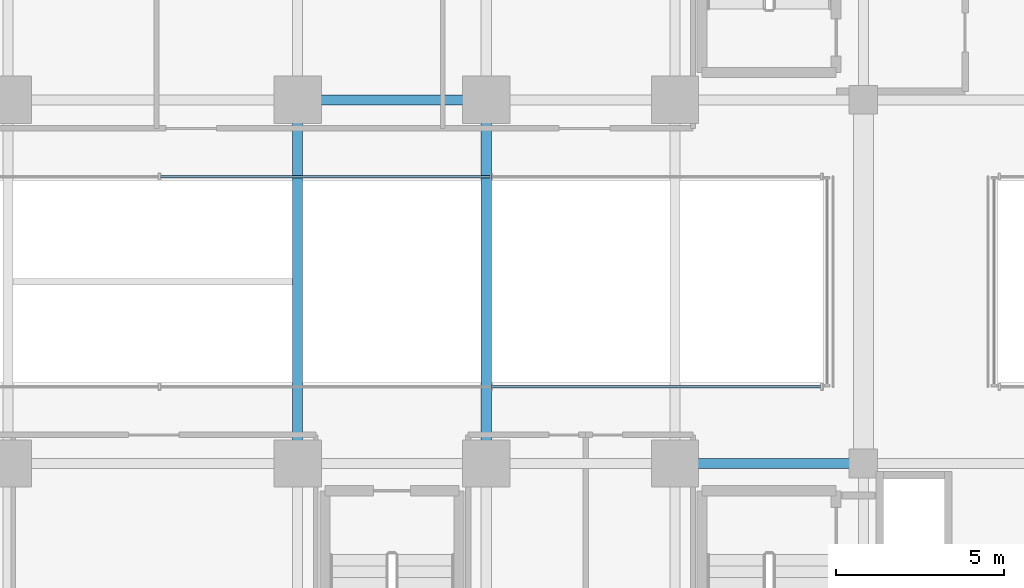
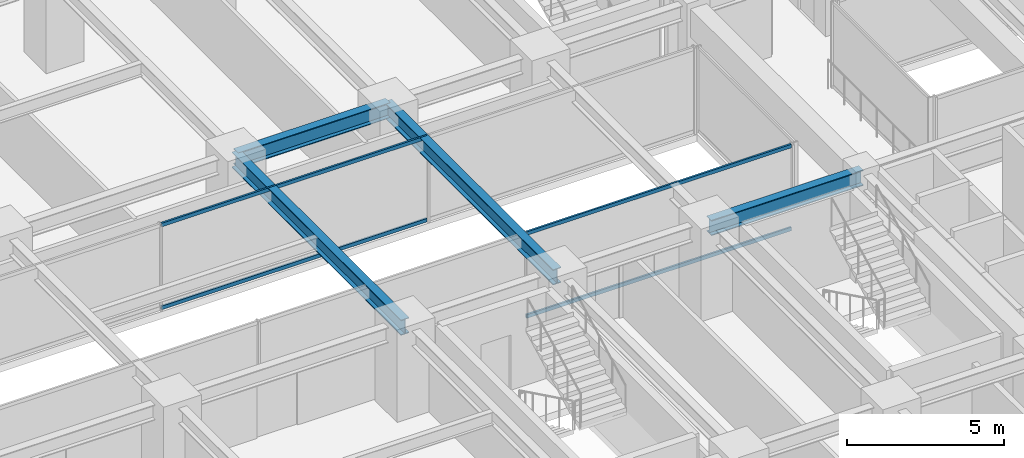
# One storey, part 13 of 47: 4 beams, 4 members, 2 elements without a shape of their own.
"""IFC4 building model written with IfcOpenShell, lengths in metres."""

from ifc_helpers import new_model, si_unit, direction, frame, origin, origin_2d, place, context, subcontext, project, spatial, hollow_rectangle, i_section, extrude, source, transform, mapped, material, material_profile, profile_set, type_object, element, aggregate, save


model = new_model("IFC4")

# Units and contexts
model_context = context("Model", 3, precision=1e-05, world=origin(), true_north=direction((0.0, 1.0)))
body_context = subcontext(model_context, "Body", "Model", "MODEL_VIEW")
ifc_project = project(units=[si_unit("LENGTHUNIT", "METRE"), si_unit("AREAUNIT", "SQUARE_METRE"), si_unit("VOLUMEUNIT", "CUBIC_METRE"), si_unit("PLANEANGLEUNIT", "RADIAN"), si_unit("MASSUNIT", "GRAM", prefix="KILO")], contexts=[model_context])

# Site, building, storey
site_placement = place(None, origin())
site = spatial("IfcSite", under=ifc_project, at=site_placement, CompositionType="ELEMENT")
building_placement = place(site_placement, origin())
building = spatial("IfcBuilding", under=site, at=building_placement, Name="Nahalor Promenade Grand Hotel", CompositionType="ELEMENT")
storey_placement = place(building_placement, frame((0.0, 0.0, 68.89990234375)))
storey = spatial("IfcBuildingStorey", under=building, at=storey_placement, Name="L16", CompositionType="ELEMENT", Elevation=68.89990234375)

# Beams
ifc_material_1 = material(Name="Steel S355JR", Category="steel")
ifc_material_profile_1 = material_profile(ifc_material_1, i_section(OverallWidth=0.3, OverallDepth=0.6, WebThickness=0.0155, FlangeThickness=0.03, at=origin_2d()), Name="HEB 600")
ifc_profile_set_1 = profile_set([ifc_material_profile_1], Name="Steel S355JR")
beam_type = type_object("IfcBeamType", Name="Beam-Girder-HEB600", PredefinedType="BEAM", material=ifc_profile_set_1)
shared_shape_1 = source(origin(), body_context, "Body", "SweptSolid", [
    extrude(i_section(OverallWidth=0.3, OverallDepth=0.6, WebThickness=0.0155, FlangeThickness=0.03, at=origin_2d()), origin(), (0.0, 0.0, 1.0), 5.599853515625),
])
for number, where, z_axis, x_axis, name in (
    (1, (2.800048828125, -5.39990234375, 3.070068359375), (1.0, 0.0, 0.0), (0.0, 1.0, 0.0), "BM-L16-GX-1-4"),
    (2, (-8.39990234375, 5.39990234375, 3.070068359375), (1.0, 0.0, 0.0), (0.0, 1.0, 0.0), "BM-L16-GX-2-2"),
):
    element("IfcBeam", number, at=place(storey_placement, frame(where, z_axis=z_axis, x_axis=x_axis)), inside=storey, type_object=beam_type, Name=name, PredefinedType="BEAM", context=body_context, shape_type="MappedRepresentation", body=[
        mapped(shared_shape_1, transform((0.0, 0.0, 0.0), scale=1.0)),
    ])
shared_shape_2 = source(origin(), body_context, "Body", "SweptSolid", [
    extrude(i_section(OverallWidth=0.3, OverallDepth=0.6, WebThickness=0.0155, FlangeThickness=0.03, at=origin_2d()), origin(), (0.0, 0.0, 1.0), 10.7998046875),
])
for number, where, z_axis, x_axis, name in (
    (3, (-8.39990234375, -5.39990234375, 3.070068359375), (0.0, 1.0, 0.0), (-1.0, 0.0, 0.0), "BM-L16-GY-1-2"),
    (4, (-2.800048828125, -5.39990234375, 3.070068359375), (0.0, 1.0, 0.0), (-1.0, 0.0, 0.0), "BM-L16-GY-2-2"),
):
    element("IfcBeam", number, at=place(storey_placement, frame(where, z_axis=z_axis, x_axis=x_axis)), inside=storey, type_object=beam_type, Name=name, PredefinedType="BEAM", context=body_context, shape_type="MappedRepresentation", body=[
        mapped(shared_shape_2, transform((0.0, 0.0, 0.0), scale=1.0)),
    ])

# Curtain wall, members
ifc_material_2 = material(Name="Anodised Bronze Aluminium EN AW-6063 T6", Category="aluminium")
curtain_wall_type = type_object("IfcCurtainWallType", Name="CW3 Elliptical-Void Collar Unitised Curtain Wall", PredefinedType="USERDEFINED", material=ifc_material_2)
curtain_wall_1_placement = place(storey_placement, origin())
curtain_wall_1 = element("IfcCurtainWall", 5, at=curtain_wall_1_placement, inside=storey, type_object=curtain_wall_type, Name="L16 Curtain Wall CW-L16-VOID-WS1", ObjectType="UNITISED_CURTAIN_WALL", PredefinedType="USERDEFINED")
ifc_material_profile_2 = material_profile(ifc_material_2, hollow_rectangle(XDim=0.07, YDim=0.14, WallThickness=0.004, at=origin_2d()), Name="CWT 70x140x4")
ifc_profile_set_2 = profile_set([ifc_material_profile_2], Name="Anodised Bronze Aluminium EN AW-6063 T6")
member_type = type_object("IfcMemberType", Name="CWT3 Void Collar Transom 70x140", PredefinedType="USERDEFINED", material=ifc_profile_set_2)
shared_shape_3 = source(origin(), body_context, "Body", "SweptSolid", [
    extrude(hollow_rectangle(XDim=0.07, YDim=0.14, WallThickness=0.004, at=origin_2d()), origin(), (0.0, 0.0, 1.0), 9.748291015625),
])
member_1_placement = place(storey_placement, frame((-2.618408203125, -3.118896484375, 0.070068359375), z_axis=(1.0, 0.0, 0.0), x_axis=(0.0, 1.0, 0.0)))
member_1 = element("IfcMember", 6, at=member_1_placement, type_object=member_type, Name="CW-L16-VOID-WS1 Transom 2-0", ObjectType="TRANSOM", PredefinedType="USERDEFINED", context=body_context, shape_type="MappedRepresentation", body=[
    mapped(shared_shape_3, transform((0.0, 0.0, 0.0), scale=1.0)),
])
member_2_placement = place(storey_placement, frame((-2.618408203125, -3.118896484375, 3.300048828125), z_axis=(1.0, 0.0, 0.0), x_axis=(0.0, 1.0, 0.0)))
member_2 = element("IfcMember", 7, at=member_2_placement, type_object=member_type, Name="CW-L16-VOID-WS1 Transom 2-1", ObjectType="TRANSOM", PredefinedType="USERDEFINED", context=body_context, shape_type="MappedRepresentation", body=[
    mapped(shared_shape_3, transform((0.0, 0.0, 0.0), scale=1.0)),
])
aggregate(curtain_wall_1, [member_1, member_2])

curtain_wall_2_placement = place(storey_placement, origin())
curtain_wall_2 = element("IfcCurtainWall", 8, at=curtain_wall_2_placement, inside=storey, type_object=curtain_wall_type, Name="L16 Curtain Wall CW-L16-VOID-WN1", ObjectType="UNITISED_CURTAIN_WALL", PredefinedType="USERDEFINED")
shared_shape_4 = source(origin(), body_context, "Body", "SweptSolid", [
    extrude(hollow_rectangle(XDim=0.07, YDim=0.14, WallThickness=0.004, at=origin_2d()), origin(), (0.0, 0.0, 1.0), 9.783447265625),
])
member_3_placement = place(storey_placement, frame((-12.4716796875, 3.118896484375, 0.070068359375), z_axis=(1.0, 0.0, 0.0), x_axis=(0.0, 1.0, 0.0)))
member_3 = element("IfcMember", 9, at=member_3_placement, type_object=member_type, Name="CW-L16-VOID-WN1 Transom 1-0", ObjectType="TRANSOM", PredefinedType="USERDEFINED", context=body_context, shape_type="MappedRepresentation", body=[
    mapped(shared_shape_4, transform((0.0, 0.0, 0.0), scale=1.0)),
])
member_4_placement = place(storey_placement, frame((-12.4716796875, 3.118896484375, 3.300048828125), z_axis=(1.0, 0.0, 0.0), x_axis=(0.0, 1.0, 0.0)))
member_4 = element("IfcMember", 10, at=member_4_placement, type_object=member_type, Name="CW-L16-VOID-WN1 Transom 1-1", ObjectType="TRANSOM", PredefinedType="USERDEFINED", context=body_context, shape_type="MappedRepresentation", body=[
    mapped(shared_shape_4, transform((0.0, 0.0, 0.0), scale=1.0)),
])
aggregate(curtain_wall_2, [member_3, member_4])

save(model, "model.ifc")
